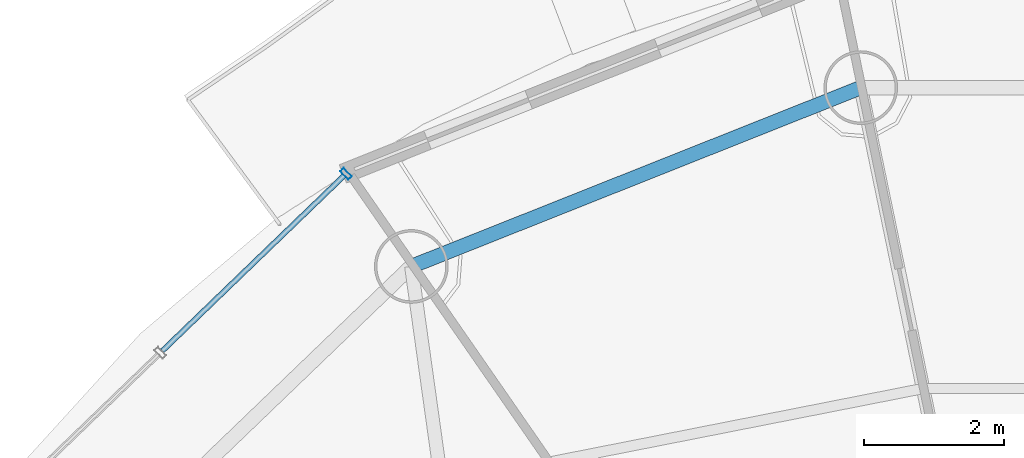
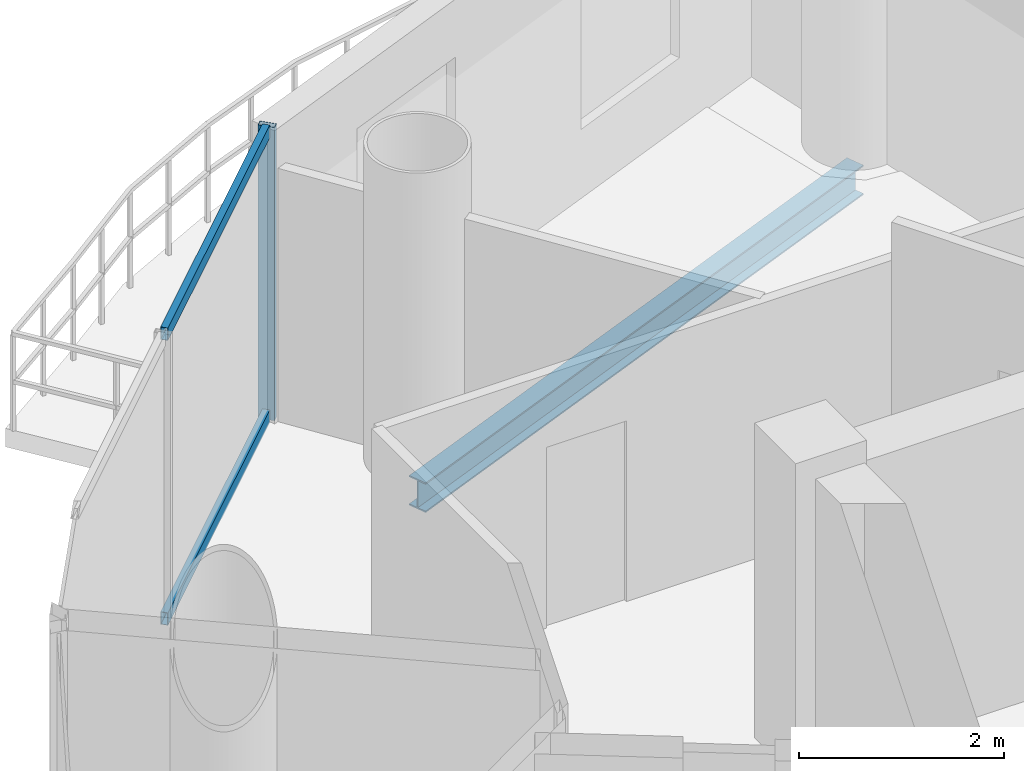
# One storey, part 14 of 24: 3 members, 1 beam, 1 element without a shape of its own.
"""IFC4 building model written with IfcOpenShell, lengths in metres."""

from ifc_helpers import new_model, si_unit, direction, frame, origin, origin_2d, place, context, subcontext, project, spatial, hollow_rectangle, i_section, extrude, source, transform, mapped, material, material_profile, profile_set, type_object, element, aggregate, save


model = new_model("IFC4")

# Units and contexts
model_context = context("Model", 3, precision=1e-05, world=origin(), true_north=direction((-0.2419218956, 0.970295726276)))
body_context = subcontext(model_context, "Body", "Model", "MODEL_VIEW")
ifc_project = project(units=[si_unit("LENGTHUNIT", "METRE"), si_unit("AREAUNIT", "SQUARE_METRE"), si_unit("VOLUMEUNIT", "CUBIC_METRE"), si_unit("PLANEANGLEUNIT", "RADIAN"), si_unit("MASSUNIT", "GRAM", prefix="KILO")], contexts=[model_context])

# Site, building, storey
site_placement = place(None, origin())
site = spatial("IfcSite", under=ifc_project, at=site_placement, CompositionType="ELEMENT")
building_placement = place(site_placement, origin())
building = spatial("IfcBuilding", under=site, at=building_placement, Name="Cobrevalo Terracotta Tower", CompositionType="ELEMENT")
storey_placement = place(building_placement, frame((0.0, 0.0, 293.199951171875)))
storey = spatial("IfcBuildingStorey", under=building, at=storey_placement, Name="L77", CompositionType="ELEMENT", Elevation=293.199951171875)

# Beam
ifc_material_1 = material(Name="Steel S355", Category="steel")
ifc_material_profile_1 = material_profile(ifc_material_1, i_section(OverallWidth=0.205078125, OverallDepth=0.35400390625, WebThickness=0.009521484375, FlangeThickness=0.016845703125, at=origin_2d()), Name="W 360x79")
ifc_profile_set_1 = profile_set([ifc_material_profile_1], Name="Steel S355")
beam_type = type_object("IfcBeamType", Name="Structural Spandrel W 360x79 (Steel S355)", PredefinedType="SPANDREL", material=ifc_profile_set_1)
beam_placement = place(storey_placement, frame((34.537109375, 43.5224609375, -0.43701171875), z_axis=(-0.929149986048, -0.369702993533, 0.0), x_axis=(0.369702993533, -0.929149986048, 0.0)))
element("IfcBeam", 1, at=beam_placement, inside=storey, type_object=beam_type, Name="L77 perimeter ring spandrel 05", PredefinedType="SPANDREL", context=body_context, shape_type="SweptSolid", body=[
    extrude(i_section(OverallWidth=0.205078125, OverallDepth=0.35400390625, WebThickness=0.009521484375, FlangeThickness=0.016845703125, at=origin_2d()), origin(), (0.0, 0.0, 1.0), 6.88623046875),
])

# Curtain wall, members
ifc_material_2 = material(Name="Anodized aluminium", Category="aluminium")
curtain_wall_type = type_object("IfcCurtainWallType", Name="Upper-tower triple-glazed penthouse curtain wall CW-U3", PredefinedType="NOTDEFINED", material=ifc_material_2)
curtain_wall_placement = place(storey_placement, origin())
curtain_wall = element("IfcCurtainWall", 2, at=curtain_wall_placement, inside=storey, type_object=curtain_wall_type, Name="L77 curtain wall CW-L77-S06", PredefinedType="NOTDEFINED")
ifc_material_profile_2 = material_profile(ifc_material_2, hollow_rectangle(XDim=0.070068359375, YDim=0.169921875, WallThickness=0.00439453125, at=origin_2d()), Name="CWM 70x170")
ifc_profile_set_2 = profile_set([ifc_material_profile_2], Name="Anodized aluminium")
member_type_1 = type_object("IfcMemberType", Name="Upper tower unitised mullion 70x170", PredefinedType="MULLION", material=ifc_profile_set_2)
shared_shape_1 = source(origin(), body_context, "Body", "SweptSolid", [
    extrude(hollow_rectangle(XDim=0.070068359375, YDim=0.169921875, WallThickness=0.00439453125, at=origin_2d()), origin(), (0.0, 0.0, 1.0), 3.489990234375),
])
member_1_placement = place(storey_placement, frame((27.209716796875, 42.2958984375, 0.0), z_axis=(0.0, 0.0, 1.0), x_axis=(-0.71999418085, -0.69398010025, 0.0)))
member_1 = element("IfcMember", 3, at=member_1_placement, type_object=member_type_1, Name="CW-L77-S06 vertical mullion 01", PredefinedType="MULLION", context=body_context, shape_type="MappedRepresentation", body=[
    mapped(shared_shape_1, transform((0.0, 0.0, 0.0), scale=1.0)),
])
ifc_material_profile_3 = material_profile(ifc_material_2, hollow_rectangle(XDim=0.074951171875, YDim=0.14990234375, WallThickness=0.00439453125, at=origin_2d()), Name="CWT 75x150")
ifc_profile_set_3 = profile_set([ifc_material_profile_3], Name="Anodized aluminium")
member_type_2 = type_object("IfcMemberType", Name="Tower unitised aluminium transom 75x150", PredefinedType="USERDEFINED", material=ifc_profile_set_3)
shared_shape_2 = source(origin(), body_context, "Body", "SweptSolid", [
    extrude(hollow_rectangle(XDim=0.074951171875, YDim=0.14990234375, WallThickness=0.00439453125, at=origin_2d()), origin(), (0.0, 0.0, 1.0), 3.59130859375),
])
member_2_placement = place(storey_placement, frame((27.180908203125, 42.26806640625, 0.050048828125), z_axis=(-0.720005628362, -0.693968223427, 0.0), x_axis=(0.693968223427, -0.720005628362, 0.0)))
member_2 = element("IfcMember", 4, at=member_2_placement, type_object=member_type_2, Name="CW-L77-S06 transom B01-T1", ObjectType="TRANSOM", PredefinedType="USERDEFINED", context=body_context, shape_type="MappedRepresentation", body=[
    mapped(shared_shape_2, transform((0.0, 0.0, 0.0), scale=1.0)),
])
member_3_placement = place(storey_placement, frame((27.180908203125, 42.26806640625, 3.43994140625), z_axis=(-0.720005628362, -0.693968223427, 0.0), x_axis=(0.693968223427, -0.720005628362, 0.0)))
member_3 = element("IfcMember", 5, at=member_3_placement, type_object=member_type_2, Name="CW-L77-S06 transom B01-T2", ObjectType="TRANSOM", PredefinedType="USERDEFINED", context=body_context, shape_type="MappedRepresentation", body=[
    mapped(shared_shape_2, transform((0.0, 0.0, 0.0), scale=1.0)),
])
aggregate(curtain_wall, [member_1, member_2, member_3])

save(model, "model.ifc")
